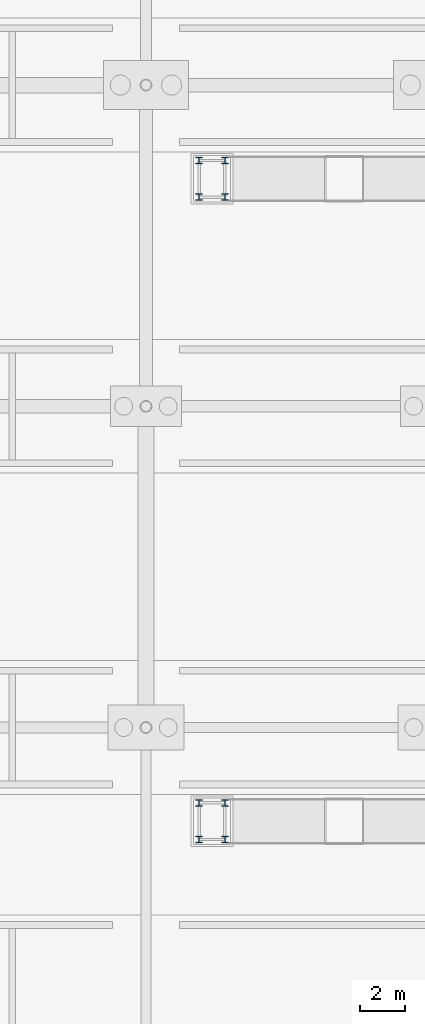
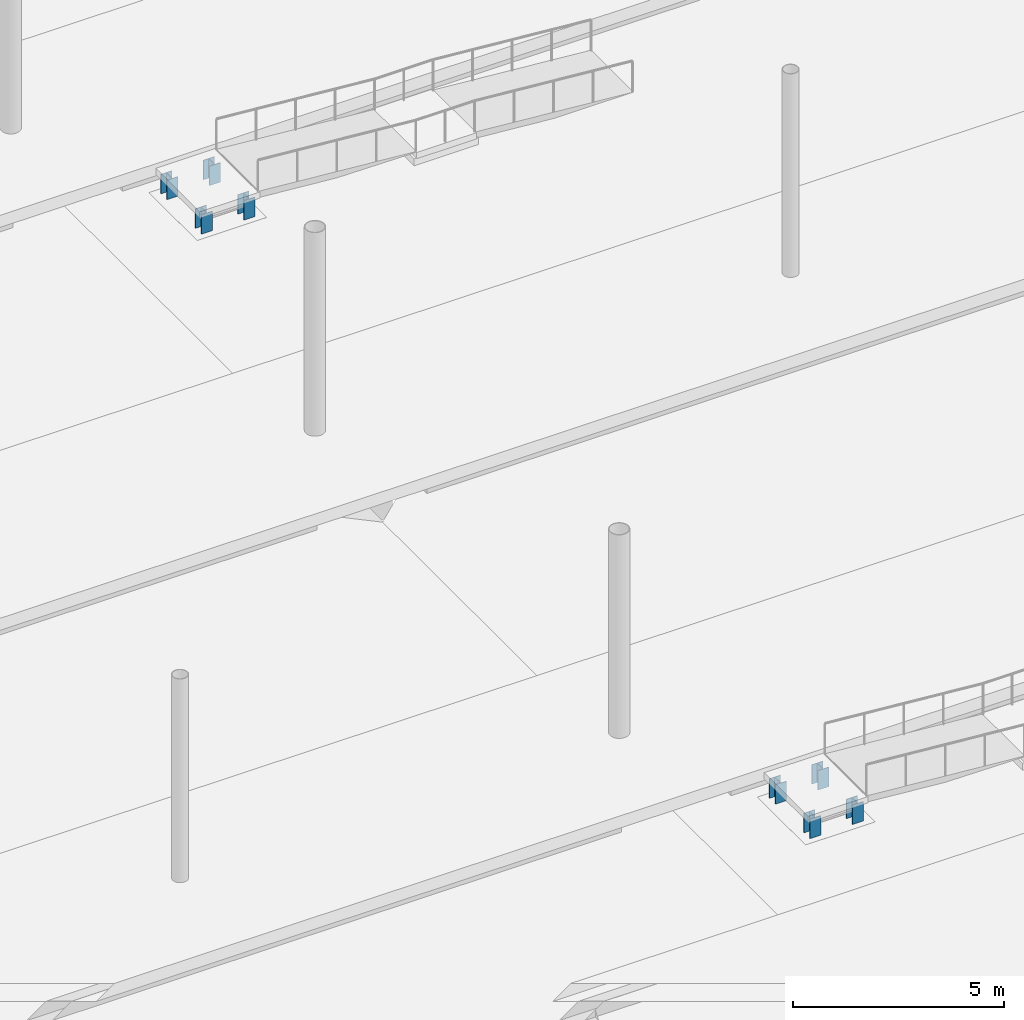
# One storey, part 38 of 115: 8 columns.
"""IFC4 building model written with IfcOpenShell, lengths in metres."""

from ifc_helpers import new_model, si_unit, direction, frame, origin, origin_2d, place, context, subcontext, project, spatial, i_section, extrude, material, material_profile, profile_set, type_object, element, save


model = new_model("IFC4")

# Units and contexts
model_context = context("Model", 3, precision=1e-05, world=origin(), true_north=direction((0.0, 1.0)))
body_context = subcontext(model_context, "Body", "Model", "MODEL_VIEW")
ifc_project = project(units=[si_unit("LENGTHUNIT", "METRE"), si_unit("AREAUNIT", "SQUARE_METRE"), si_unit("VOLUMEUNIT", "CUBIC_METRE"), si_unit("PLANEANGLEUNIT", "RADIAN"), si_unit("MASSUNIT", "GRAM", prefix="KILO")], contexts=[model_context])

# Site, building, storey
site_placement = place(None, origin())
site = spatial("IfcSite", under=ifc_project, at=site_placement, CompositionType="ELEMENT")
building_placement = place(site_placement, origin())
building = spatial("IfcBuilding", under=site, at=building_placement, Name="Tamarisk Ironworks Central Station", CompositionType="ELEMENT")
storey_placement = place(building_placement, origin())
storey = spatial("IfcBuildingStorey", under=building, at=storey_placement, Name="L00", CompositionType="ELEMENT", Elevation=0.0)

# Columns
ifc_material = material(Name="Structural steel S355J2", Category="steel")
ifc_material_profile = material_profile(ifc_material, i_section(OverallWidth=0.300048828125, OverallDepth=0.300048828125, WebThickness=0.010986328125, FlangeThickness=0.01904296875, at=origin_2d()), Name="HEB 300")
ifc_profile_set = profile_set([ifc_material_profile], Name="Structural steel S355J2")
column_type = type_object("IfcColumnType", Name="COL-S12", PredefinedType="COLUMN", material=ifc_profile_set)
for number, where, z_axis, x_axis, name in (
    (1, (142.3798828125, 30.97998046875, 0.0), (0.0, 0.0, 1.0), (1.0, 0.0, 0.0), "RMP-P2E arrival landing post 1"),
    (2, (143.5400390625, 30.97998046875, 0.0), (0.0, 0.0, 1.0), (1.0, 0.0, 0.0), "RMP-P2E arrival landing post 2"),
    (3, (142.3798828125, 32.6201171875, 0.0), (0.0, 0.0, 1.0), (1.0, 0.0, 0.0), "RMP-P2E arrival landing post 3"),
    (4, (143.5400390625, 32.6201171875, 0.0), (0.0, 0.0, 1.0), (1.0, 0.0, 0.0), "RMP-P2E arrival landing post 4"),
    (5, (142.3798828125, 59.780029296875, 0.0), (0.0, 0.0, 1.0), (1.0, 0.0, 0.0), "RMP-P4E arrival landing post 1"),
    (6, (143.5400390625, 59.780029296875, 0.0), (0.0, 0.0, 1.0), (1.0, 0.0, 0.0), "RMP-P4E arrival landing post 2"),
    (7, (142.3798828125, 61.419921875, 0.0), (0.0, 0.0, 1.0), (1.0, 0.0, 0.0), "RMP-P4E arrival landing post 3"),
    (8, (143.5400390625, 61.419921875, 0.0), (0.0, 0.0, 1.0), (1.0, 0.0, 0.0), "RMP-P4E arrival landing post 4"),
):
    element("IfcColumn", number, at=place(storey_placement, frame(where, z_axis=z_axis, x_axis=x_axis)), inside=storey, type_object=column_type, Name=name, PredefinedType="COLUMN", context=body_context, shape_type="SweptSolid", body=[
        extrude(i_section(OverallWidth=0.300048828125, OverallDepth=0.300048828125, WebThickness=0.010986328125, FlangeThickness=0.01904296875, at=origin_2d()), origin(), (0.0, 0.0, 1.0), 0.56005859375),
    ])

save(model, "model.ifc")
